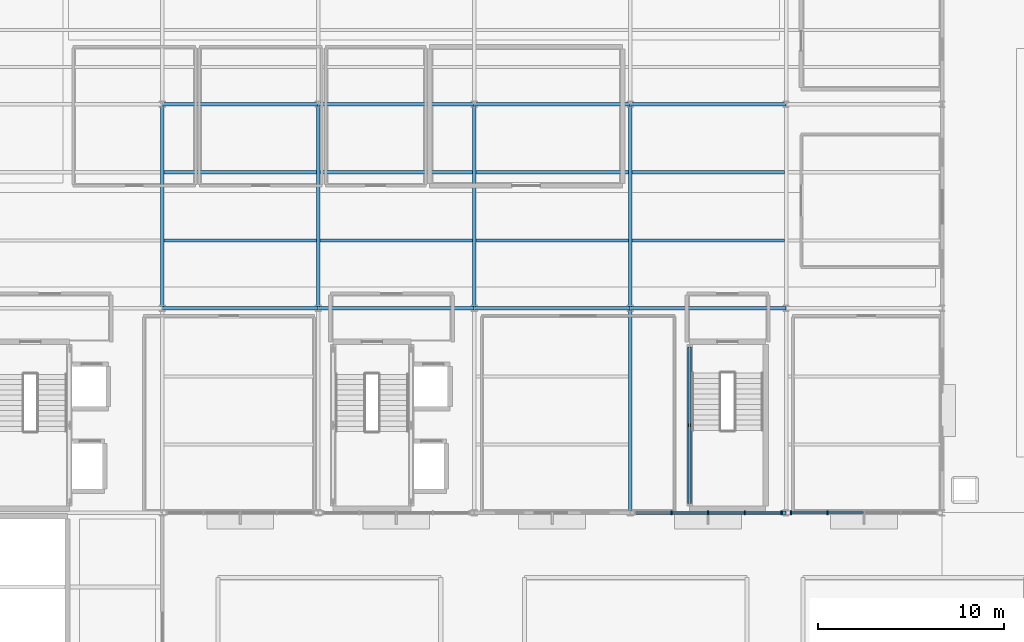
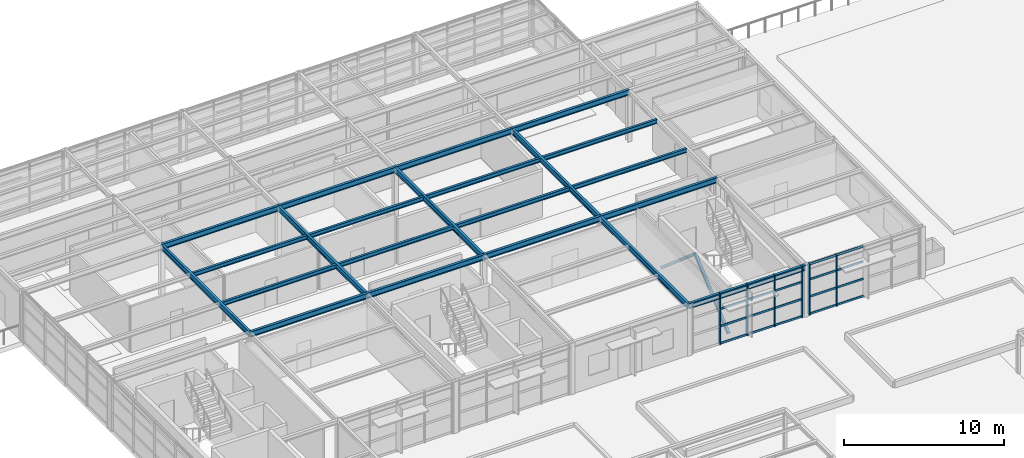
# One storey, part 25 of 49: 29 members, 22 beams, 2 elements without a shape of their own.
"""IFC4 building model written with IfcOpenShell, lengths in metres."""

from ifc_helpers import new_model, si_unit, direction, frame, origin, origin_2d, place, context, subcontext, project, spatial, rectangle, hollow_rectangle, i_section, extrude, material, layer, layer_set, material_profile, profile_set, type_object, element, aggregate, save


model = new_model("IFC4")

# Units and contexts
model_context = context("Model", 3, precision=1e-05, world=origin(), true_north=direction((0.0, 1.0)))
body_context = subcontext(model_context, "Body", "Model", "MODEL_VIEW")
ifc_project = project(units=[si_unit("LENGTHUNIT", "METRE"), si_unit("AREAUNIT", "SQUARE_METRE"), si_unit("VOLUMEUNIT", "CUBIC_METRE"), si_unit("PLANEANGLEUNIT", "RADIAN"), si_unit("MASSUNIT", "GRAM", prefix="KILO")], contexts=[model_context])

# Site, building, storey
site_placement = place(None, origin())
site = spatial("IfcSite", under=ifc_project, at=site_placement, CompositionType="ELEMENT")
building_placement = place(site_placement, origin())
building = spatial("IfcBuilding", under=site, at=building_placement, Name="Sitalva Quay Ferry Terminal", CompositionType="ELEMENT")
storey_placement = place(building_placement, frame((0.0, 0.0, 10.199951171875)))
storey = spatial("IfcBuildingStorey", under=building, at=storey_placement, Name="L03", CompositionType="ELEMENT", Elevation=10.199951171875)

# Beams
ifc_material_1 = material(Name="Structural Steel S355JR", Category="steel")
ifc_material_profile_1 = material_profile(ifc_material_1, i_section(OverallWidth=0.178955078125, OverallDepth=0.409912109375, WebThickness=0.0087890625, FlangeThickness=0.014404296875, FilletRadius=0.012939453125, at=origin_2d()), Name="W410x67")
ifc_profile_set_1 = profile_set([ifc_material_profile_1], Name="Structural Steel S355JR")
beam_type_1 = type_object("IfcBeamType", Name="Beam_W410x67", PredefinedType="BEAM", material=ifc_profile_set_1)
for number, where, z_axis, x_axis, name in (
    (1, (84.0, 89.0, 3.715087890625), (0.0, 1.0, 0.0), (-1.0, 0.0, 0.0), "L03 Primary Y girder 1229"),
    (2, (92.39990234375, 89.0, 3.715087890625), (0.0, 1.0, 0.0), (-1.0, 0.0, 0.0), "L03 Primary Y girder 1232"),
    (3, (100.800048828125, 89.0, 3.715087890625), (0.0, 1.0, 0.0), (-1.0, 0.0, 0.0), "L03 Primary Y girder 1235"),
    (4, (109.199951171875, 78.0, 3.715087890625), (0.0, 1.0, 0.0), (-1.0, 0.0, 0.0), "L03 Primary Y girder 1237"),
    (5, (109.199951171875, 89.0, 3.715087890625), (0.0, 1.0, 0.0), (-1.0, 0.0, 0.0), "L03 Primary Y girder 1238"),
):
    element("IfcBeam", number, at=place(storey_placement, frame(where, z_axis=z_axis, x_axis=x_axis)), inside=storey, type_object=beam_type_1, Name=name, PredefinedType="BEAM", context=body_context, shape_type="SweptSolid", body=[
        extrude(i_section(OverallWidth=0.178955078125, OverallDepth=0.409912109375, WebThickness=0.0087890625, FlangeThickness=0.014404296875, FilletRadius=0.012939453125, at=origin_2d()), origin(), (0.0, 0.0, 1.0), 11.0),
    ])
ifc_material_2 = material(Name="Structural Steel S355JR", Category="steel")
ifc_material_profile_2 = material_profile(ifc_material_2, i_section(OverallWidth=0.180908203125, OverallDepth=0.4169921875, WebThickness=0.010986328125, FlangeThickness=0.018310546875, FilletRadius=0.012939453125, at=origin_2d()), Name="W410x85")
ifc_profile_set_2 = profile_set([ifc_material_profile_2], Name="Structural Steel S355JR")
beam_type_2 = type_object("IfcBeamType", Name="Beam_W410x85", PredefinedType="BEAM", material=ifc_profile_set_2)
beam_1_placement = place(storey_placement, frame((109.199951171875, 78.0, 3.711669921875), z_axis=(1.0, 0.0, 0.0), x_axis=(0.0, 1.0, 0.0)))
element("IfcBeam", 6, at=beam_1_placement, inside=storey, type_object=beam_type_2, Name="L03 Primary X girder 1205", PredefinedType="BEAM", context=body_context, shape_type="SweptSolid", body=[
    extrude(i_section(OverallWidth=0.180908203125, OverallDepth=0.4169921875, WebThickness=0.010986328125, FlangeThickness=0.018310546875, FilletRadius=0.012939453125, at=origin_2d()), origin(), (0.0, 0.0, 1.0), 8.400146484375),
])
beam_2_placement = place(storey_placement, frame((84.0, 89.0, 3.711669921875), z_axis=(1.0, 0.0, 0.0), x_axis=(0.0, 1.0, 0.0)))
element("IfcBeam", 7, at=beam_2_placement, inside=storey, type_object=beam_type_2, Name="L03 Primary X girder 1208", PredefinedType="BEAM", context=body_context, shape_type="SweptSolid", body=[
    extrude(i_section(OverallWidth=0.180908203125, OverallDepth=0.4169921875, WebThickness=0.010986328125, FlangeThickness=0.018310546875, FilletRadius=0.012939453125, at=origin_2d()), origin(), (0.0, 0.0, 1.0), 8.39990234375),
])
beam_3_placement = place(storey_placement, frame((92.39990234375, 89.0, 3.711669921875), z_axis=(1.0, 0.0, 0.0), x_axis=(0.0, 1.0, 0.0)))
element("IfcBeam", 8, at=beam_3_placement, inside=storey, type_object=beam_type_2, Name="L03 Primary X girder 1209", PredefinedType="BEAM", context=body_context, shape_type="SweptSolid", body=[
    extrude(i_section(OverallWidth=0.180908203125, OverallDepth=0.4169921875, WebThickness=0.010986328125, FlangeThickness=0.018310546875, FilletRadius=0.012939453125, at=origin_2d()), origin(), (0.0, 0.0, 1.0), 8.400146484375),
])
beam_4_placement = place(storey_placement, frame((100.800048828125, 89.0, 3.711669921875), z_axis=(1.0, 0.0, 0.0), x_axis=(0.0, 1.0, 0.0)))
element("IfcBeam", 9, at=beam_4_placement, inside=storey, type_object=beam_type_2, Name="L03 Primary X girder 1210", PredefinedType="BEAM", context=body_context, shape_type="SweptSolid", body=[
    extrude(i_section(OverallWidth=0.180908203125, OverallDepth=0.4169921875, WebThickness=0.010986328125, FlangeThickness=0.018310546875, FilletRadius=0.012939453125, at=origin_2d()), origin(), (0.0, 0.0, 1.0), 8.39990234375),
])
beam_5_placement = place(storey_placement, frame((109.199951171875, 89.0, 3.711669921875), z_axis=(1.0, 0.0, 0.0), x_axis=(0.0, 1.0, 0.0)))
element("IfcBeam", 10, at=beam_5_placement, inside=storey, type_object=beam_type_2, Name="L03 Primary X girder 1211", PredefinedType="BEAM", context=body_context, shape_type="SweptSolid", body=[
    extrude(i_section(OverallWidth=0.180908203125, OverallDepth=0.4169921875, WebThickness=0.010986328125, FlangeThickness=0.018310546875, FilletRadius=0.012939453125, at=origin_2d()), origin(), (0.0, 0.0, 1.0), 8.400146484375),
])
beam_6_placement = place(storey_placement, frame((84.0, 100.0, 3.711669921875), z_axis=(1.0, 0.0, 0.0), x_axis=(0.0, 1.0, 0.0)))
element("IfcBeam", 11, at=beam_6_placement, inside=storey, type_object=beam_type_2, Name="L03 Primary X girder 1214", PredefinedType="BEAM", context=body_context, shape_type="SweptSolid", body=[
    extrude(i_section(OverallWidth=0.180908203125, OverallDepth=0.4169921875, WebThickness=0.010986328125, FlangeThickness=0.018310546875, FilletRadius=0.012939453125, at=origin_2d()), origin(), (0.0, 0.0, 1.0), 8.39990234375),
])
beam_7_placement = place(storey_placement, frame((92.39990234375, 100.0, 3.711669921875), z_axis=(1.0, 0.0, 0.0), x_axis=(0.0, 1.0, 0.0)))
element("IfcBeam", 12, at=beam_7_placement, inside=storey, type_object=beam_type_2, Name="L03 Primary X girder 1215", PredefinedType="BEAM", context=body_context, shape_type="SweptSolid", body=[
    extrude(i_section(OverallWidth=0.180908203125, OverallDepth=0.4169921875, WebThickness=0.010986328125, FlangeThickness=0.018310546875, FilletRadius=0.012939453125, at=origin_2d()), origin(), (0.0, 0.0, 1.0), 8.400146484375),
])
beam_8_placement = place(storey_placement, frame((100.800048828125, 100.0, 3.711669921875), z_axis=(1.0, 0.0, 0.0), x_axis=(0.0, 1.0, 0.0)))
element("IfcBeam", 13, at=beam_8_placement, inside=storey, type_object=beam_type_2, Name="L03 Primary X girder 1216", PredefinedType="BEAM", context=body_context, shape_type="SweptSolid", body=[
    extrude(i_section(OverallWidth=0.180908203125, OverallDepth=0.4169921875, WebThickness=0.010986328125, FlangeThickness=0.018310546875, FilletRadius=0.012939453125, at=origin_2d()), origin(), (0.0, 0.0, 1.0), 8.39990234375),
])
beam_9_placement = place(storey_placement, frame((109.199951171875, 100.0, 3.711669921875), z_axis=(1.0, 0.0, 0.0), x_axis=(0.0, 1.0, 0.0)))
element("IfcBeam", 14, at=beam_9_placement, inside=storey, type_object=beam_type_2, Name="L03 Primary X girder 1217", PredefinedType="BEAM", context=body_context, shape_type="SweptSolid", body=[
    extrude(i_section(OverallWidth=0.180908203125, OverallDepth=0.4169921875, WebThickness=0.010986328125, FlangeThickness=0.018310546875, FilletRadius=0.012939453125, at=origin_2d()), origin(), (0.0, 0.0, 1.0), 8.400146484375),
])

# Members
ifc_material_3 = material(Name="Structural Steel S355JR", Category="steel")
ifc_material_profile_3 = material_profile(ifc_material_3, hollow_rectangle(XDim=0.199951171875, YDim=0.199951171875, WallThickness=0.010009765625, InnerFilletRadius=0.010009765625, OuterFilletRadius=0.02001953125, at=origin_2d()), Name="SHS200x200x10")
ifc_profile_set_3 = profile_set([ifc_material_profile_3], Name="Structural Steel S355JR")
member_type_1 = type_object("IfcMemberType", Name="Brace_SHS200x10", PredefinedType="BRACE", material=ifc_profile_set_3)
member_1_placement = place(storey_placement, frame((112.39990234375, 78.550048828125, 0.150146484375), z_axis=(0.0, 0.759912605464, 0.650025254938), x_axis=(-1.0, 0.0, 0.0)))
element("IfcMember", 15, at=member_1_placement, inside=storey, type_object=member_type_1, Name="Braced frame BF5 L03 chevron A", PredefinedType="BRACE", context=body_context, shape_type="SweptSolid", body=[
    extrude(hollow_rectangle(XDim=0.199951171875, YDim=0.199951171875, WallThickness=0.010009765625, InnerFilletRadius=0.010009765625, OuterFilletRadius=0.02001953125, at=origin_2d()), origin(), (0.0, 0.0, 1.0), 5.4609375),
])
member_2_placement = place(storey_placement, frame((112.39990234375, 82.699951171875, 3.699951171875), z_axis=(0.0, 0.759931494254, -0.650003172331), x_axis=(-1.0, 0.0, 0.0)))
element("IfcMember", 16, at=member_2_placement, inside=storey, type_object=member_type_1, Name="Braced frame BF5 L03 chevron B", PredefinedType="BRACE", context=body_context, shape_type="SweptSolid", body=[
    extrude(hollow_rectangle(XDim=0.199951171875, YDim=0.199951171875, WallThickness=0.010009765625, InnerFilletRadius=0.010009765625, OuterFilletRadius=0.02001953125, at=origin_2d()), origin(), (0.0, 0.0, 1.0), 5.461181640625),
])

# Beams
ifc_material_4 = material(Name="Structural Steel S355JR", Category="steel")
ifc_material_profile_4 = material_profile(ifc_material_4, i_section(OverallWidth=0.166015625, OverallDepth=0.31298828125, WebThickness=0.006591796875, FlangeThickness=0.01123046875, FilletRadius=0.010986328125, at=origin_2d()), Name="W310x45")
ifc_profile_set_4 = profile_set([ifc_material_profile_4], Name="Structural Steel S355JR")
beam_type_3 = type_object("IfcBeamType", Name="Joist_W310x45", PredefinedType="JOIST", material=ifc_profile_set_4)
for number, where, z_axis, x_axis, name in (
    (17, (84.089599609375, 92.666748046875, 3.763427734375), (1.0, 0.0, 0.0), (0.0, 1.0, 0.0), "L03 Secondary joist 1253"),
    (18, (92.489501953125, 92.666748046875, 3.763427734375), (1.0, 0.0, 0.0), (0.0, 1.0, 0.0), "L03 Secondary joist 1254"),
):
    element("IfcBeam", number, at=place(storey_placement, frame(where, z_axis=z_axis, x_axis=x_axis)), inside=storey, type_object=beam_type_3, Name=name, PredefinedType="JOIST", context=body_context, shape_type="SweptSolid", body=[
        extrude(i_section(OverallWidth=0.166015625, OverallDepth=0.31298828125, WebThickness=0.006591796875, FlangeThickness=0.01123046875, FilletRadius=0.010986328125, at=origin_2d()), origin(), (0.0, 0.0, 1.0), 8.220947265625),
    ])
beam_10_placement = place(storey_placement, frame((100.889404296875, 92.666748046875, 3.763427734375), z_axis=(1.0, 0.0, 0.0), x_axis=(0.0, 1.0, 0.0)))
element("IfcBeam", 19, at=beam_10_placement, inside=storey, type_object=beam_type_3, Name="L03 Secondary joist 1255", PredefinedType="JOIST", context=body_context, shape_type="SweptSolid", body=[
    extrude(i_section(OverallWidth=0.166015625, OverallDepth=0.31298828125, WebThickness=0.006591796875, FlangeThickness=0.01123046875, FilletRadius=0.010986328125, at=origin_2d()), origin(), (0.0, 0.0, 1.0), 8.22119140625),
])
for number, where, z_axis, x_axis, name in (
    (20, (109.28955078125, 92.666748046875, 3.763427734375), (1.0, 0.0, 0.0), (0.0, 1.0, 0.0), "L03 Secondary joist 1256"),
    (21, (84.089599609375, 96.333251953125, 3.763427734375), (1.0, 0.0, 0.0), (0.0, 1.0, 0.0), "L03 Secondary joist 1259"),
    (22, (92.489501953125, 96.333251953125, 3.763427734375), (1.0, 0.0, 0.0), (0.0, 1.0, 0.0), "L03 Secondary joist 1260"),
):
    element("IfcBeam", number, at=place(storey_placement, frame(where, z_axis=z_axis, x_axis=x_axis)), inside=storey, type_object=beam_type_3, Name=name, PredefinedType="JOIST", context=body_context, shape_type="SweptSolid", body=[
        extrude(i_section(OverallWidth=0.166015625, OverallDepth=0.31298828125, WebThickness=0.006591796875, FlangeThickness=0.01123046875, FilletRadius=0.010986328125, at=origin_2d()), origin(), (0.0, 0.0, 1.0), 8.220947265625),
    ])
beam_11_placement = place(storey_placement, frame((100.889404296875, 96.333251953125, 3.763427734375), z_axis=(1.0, 0.0, 0.0), x_axis=(0.0, 1.0, 0.0)))
element("IfcBeam", 23, at=beam_11_placement, inside=storey, type_object=beam_type_3, Name="L03 Secondary joist 1261", PredefinedType="JOIST", context=body_context, shape_type="SweptSolid", body=[
    extrude(i_section(OverallWidth=0.166015625, OverallDepth=0.31298828125, WebThickness=0.006591796875, FlangeThickness=0.01123046875, FilletRadius=0.010986328125, at=origin_2d()), origin(), (0.0, 0.0, 1.0), 8.22119140625),
])
beam_12_placement = place(storey_placement, frame((109.28955078125, 96.333251953125, 3.763427734375), z_axis=(1.0, 0.0, 0.0), x_axis=(0.0, 1.0, 0.0)))
element("IfcBeam", 24, at=beam_12_placement, inside=storey, type_object=beam_type_3, Name="L03 Secondary joist 1262", PredefinedType="JOIST", context=body_context, shape_type="SweptSolid", body=[
    extrude(i_section(OverallWidth=0.166015625, OverallDepth=0.31298828125, WebThickness=0.006591796875, FlangeThickness=0.01123046875, FilletRadius=0.010986328125, at=origin_2d()), origin(), (0.0, 0.0, 1.0), 8.220947265625),
])

# Curtain wall, members
ifc_material_5 = material(Name="Anodised Aluminium & Low-E Glazing", Category="aluminium")
ifc_layer = layer(ifc_material_5, 0.159912109375)
ifc_layer_set = layer_set([ifc_layer], Name="Anodised Aluminium & Low-E Glazing")
curtain_wall_type = type_object("IfcCurtainWallType", Name="CW_Office_Unitised", PredefinedType="USERDEFINED", material=ifc_layer_set)
curtain_wall_1_placement = place(storey_placement, origin())
curtain_wall_1 = element("IfcCurtainWall", 25, at=curtain_wall_1_placement, inside=storey, type_object=curtain_wall_type, Name="L03 maritime bridge south glazing (CW-L03-129)", ObjectType="CURTAIN_WALL", PredefinedType="USERDEFINED")
ifc_material_6 = material(Name="Anodised Aluminium 6063-T6", Category="aluminium")
ifc_material_profile_5 = material_profile(ifc_material_6, rectangle(XDim=0.074951171875, YDim=0.219970703125, at=origin_2d()), Name="ALU75x220")
ifc_profile_set_5 = profile_set([ifc_material_profile_5], Name="Anodised Aluminium 6063-T6")
member_type_2 = type_object("IfcMemberType", Name="Mullion_Alu_75x160", PredefinedType="MULLION", material=ifc_profile_set_5)
member_3_placement = place(storey_placement, frame((111.429931640625, 78.0, 0.0), z_axis=(0.0, 0.0, 1.0), x_axis=(1.0, 0.0, 0.0)))
member_3 = element("IfcMember", 26, at=member_3_placement, type_object=member_type_2, Name="CW-L03-129-M1", PredefinedType="MULLION", context=body_context, shape_type="SweptSolid", body=[
    extrude(rectangle(XDim=0.074951171875, YDim=0.219970703125, at=origin_2d()), origin(), (0.0, 0.0, 1.0), 3.920166015625),
])
member_4_placement = place(storey_placement, frame((113.39990234375, 78.0, 0.0), z_axis=(0.0, 0.0, 1.0), x_axis=(1.0, 0.0, 0.0)))
member_4 = element("IfcMember", 27, at=member_4_placement, type_object=member_type_2, Name="CW-L03-129-M2", PredefinedType="MULLION", context=body_context, shape_type="SweptSolid", body=[
    extrude(rectangle(XDim=0.074951171875, YDim=0.219970703125, at=origin_2d()), origin(), (0.0, 0.0, 1.0), 3.920166015625),
])
member_5_placement = place(storey_placement, frame((115.3701171875, 78.0, 0.0), z_axis=(0.0, 0.0, 1.0), x_axis=(1.0, 0.0, 0.0)))
member_5 = element("IfcMember", 28, at=member_5_placement, type_object=member_type_2, Name="CW-L03-129-M3", PredefinedType="MULLION", context=body_context, shape_type="SweptSolid", body=[
    extrude(rectangle(XDim=0.074951171875, YDim=0.219970703125, at=origin_2d()), origin(), (0.0, 0.0, 1.0), 3.920166015625),
])
member_6_placement = place(storey_placement, frame((117.340087890625, 78.0, 0.0), z_axis=(0.0, 0.0, 1.0), x_axis=(1.0, 0.0, 0.0)))
member_6 = element("IfcMember", 29, at=member_6_placement, type_object=member_type_2, Name="CW-L03-129-M4", PredefinedType="MULLION", context=body_context, shape_type="SweptSolid", body=[
    extrude(rectangle(XDim=0.074951171875, YDim=0.219970703125, at=origin_2d()), origin(), (0.0, 0.0, 1.0), 3.920166015625),
])

curtain_wall_2_placement = place(storey_placement, origin())
curtain_wall_2 = element("IfcCurtainWall", 30, at=curtain_wall_2_placement, inside=storey, type_object=curtain_wall_type, Name="L03 maritime bridge south glazing (CW-L03-130)", ObjectType="CURTAIN_WALL", PredefinedType="USERDEFINED")
member_7_placement = place(storey_placement, frame((117.860107421875, 78.0, 0.0), z_axis=(0.0, 0.0, 1.0), x_axis=(1.0, 0.0, 0.0)))
member_7 = element("IfcMember", 31, at=member_7_placement, type_object=member_type_2, Name="CW-L03-130-M0", PredefinedType="MULLION", context=body_context, shape_type="SweptSolid", body=[
    extrude(rectangle(XDim=0.074951171875, YDim=0.219970703125, at=origin_2d()), origin(), (0.0, 0.0, 1.0), 3.920166015625),
])
member_8_placement = place(storey_placement, frame((119.830078125, 78.0, 0.0), z_axis=(0.0, 0.0, 1.0), x_axis=(1.0, 0.0, 0.0)))
member_8 = element("IfcMember", 32, at=member_8_placement, type_object=member_type_2, Name="CW-L03-130-M1", PredefinedType="MULLION", context=body_context, shape_type="SweptSolid", body=[
    extrude(rectangle(XDim=0.074951171875, YDim=0.219970703125, at=origin_2d()), origin(), (0.0, 0.0, 1.0), 3.920166015625),
])

# Member
ifc_material_7 = material(Name="Anodised Aluminium 6063-T6", Category="aluminium")
ifc_material_profile_6 = material_profile(ifc_material_7, rectangle(XDim=0.074951171875, YDim=0.14990234375, at=origin_2d()), Name="ALU75x150")
ifc_profile_set_6 = profile_set([ifc_material_profile_6], Name="Anodised Aluminium 6063-T6")
member_type_3 = type_object("IfcMemberType", Name="Transom_Alu_75x140", PredefinedType="MULLION", material=ifc_profile_set_6)
member_9_placement = place(storey_placement, frame((109.49755859375, 78.0, 3.844970703125), z_axis=(1.0, 0.0, 0.0), x_axis=(0.0, 1.0, 0.0)))
member_9 = element("IfcMember", 33, at=member_9_placement, type_object=member_type_3, Name="CW-L03-129-T0-3", ObjectType="TRANSOM", PredefinedType="USERDEFINED", context=body_context, shape_type="SweptSolid", body=[
    extrude(rectangle(XDim=0.074951171875, YDim=0.14990234375, at=origin_2d()), origin(), (0.0, 0.0, 1.0), 1.89501953125),
])

member_10_placement = place(storey_placement, frame((111.467529296875, 78.0, 0.074951171875), z_axis=(1.0, 0.0, 0.0), x_axis=(0.0, 1.0, 0.0)))
member_10 = element("IfcMember", 34, at=member_10_placement, type_object=member_type_3, Name="CW-L03-129-T1-0", ObjectType="TRANSOM", PredefinedType="USERDEFINED", context=body_context, shape_type="SweptSolid", body=[
    extrude(rectangle(XDim=0.074951171875, YDim=0.14990234375, at=origin_2d()), origin(), (0.0, 0.0, 1.0), 1.89501953125),
])

member_11_placement = place(storey_placement, frame((111.467529296875, 78.0, 1.3818359375), z_axis=(1.0, 0.0, 0.0), x_axis=(0.0, 1.0, 0.0)))
member_11 = element("IfcMember", 35, at=member_11_placement, type_object=member_type_3, Name="CW-L03-129-T1-1", ObjectType="TRANSOM", PredefinedType="USERDEFINED", context=body_context, shape_type="SweptSolid", body=[
    extrude(rectangle(XDim=0.074951171875, YDim=0.14990234375, at=origin_2d()), origin(), (0.0, 0.0, 1.0), 1.89501953125),
])

member_12_placement = place(storey_placement, frame((111.467529296875, 78.0, 2.6884765625), z_axis=(1.0, 0.0, 0.0), x_axis=(0.0, 1.0, 0.0)))
member_12 = element("IfcMember", 36, at=member_12_placement, type_object=member_type_3, Name="CW-L03-129-T1-2", ObjectType="TRANSOM", PredefinedType="USERDEFINED", context=body_context, shape_type="SweptSolid", body=[
    extrude(rectangle(XDim=0.074951171875, YDim=0.14990234375, at=origin_2d()), origin(), (0.0, 0.0, 1.0), 1.89501953125),
])

member_13_placement = place(storey_placement, frame((111.467529296875, 78.0, 3.844970703125), z_axis=(1.0, 0.0, 0.0), x_axis=(0.0, 1.0, 0.0)))
member_13 = element("IfcMember", 37, at=member_13_placement, type_object=member_type_3, Name="CW-L03-129-T1-3", ObjectType="TRANSOM", PredefinedType="USERDEFINED", context=body_context, shape_type="SweptSolid", body=[
    extrude(rectangle(XDim=0.074951171875, YDim=0.14990234375, at=origin_2d()), origin(), (0.0, 0.0, 1.0), 1.89501953125),
])

member_14_placement = place(storey_placement, frame((113.4375, 78.0, 0.074951171875), z_axis=(1.0, 0.0, 0.0), x_axis=(0.0, 1.0, 0.0)))
member_14 = element("IfcMember", 38, at=member_14_placement, type_object=member_type_3, Name="CW-L03-129-T2-0", ObjectType="TRANSOM", PredefinedType="USERDEFINED", context=body_context, shape_type="SweptSolid", body=[
    extrude(rectangle(XDim=0.074951171875, YDim=0.14990234375, at=origin_2d()), origin(), (0.0, 0.0, 1.0), 1.89501953125),
])

member_15_placement = place(storey_placement, frame((113.4375, 78.0, 1.3818359375), z_axis=(1.0, 0.0, 0.0), x_axis=(0.0, 1.0, 0.0)))
member_15 = element("IfcMember", 39, at=member_15_placement, type_object=member_type_3, Name="CW-L03-129-T2-1", ObjectType="TRANSOM", PredefinedType="USERDEFINED", context=body_context, shape_type="SweptSolid", body=[
    extrude(rectangle(XDim=0.074951171875, YDim=0.14990234375, at=origin_2d()), origin(), (0.0, 0.0, 1.0), 1.89501953125),
])

member_16_placement = place(storey_placement, frame((113.4375, 78.0, 2.6884765625), z_axis=(1.0, 0.0, 0.0), x_axis=(0.0, 1.0, 0.0)))
member_16 = element("IfcMember", 40, at=member_16_placement, type_object=member_type_3, Name="CW-L03-129-T2-2", ObjectType="TRANSOM", PredefinedType="USERDEFINED", context=body_context, shape_type="SweptSolid", body=[
    extrude(rectangle(XDim=0.074951171875, YDim=0.14990234375, at=origin_2d()), origin(), (0.0, 0.0, 1.0), 1.89501953125),
])

member_17_placement = place(storey_placement, frame((113.4375, 78.0, 3.844970703125), z_axis=(1.0, 0.0, 0.0), x_axis=(0.0, 1.0, 0.0)))
member_17 = element("IfcMember", 41, at=member_17_placement, type_object=member_type_3, Name="CW-L03-129-T2-3", ObjectType="TRANSOM", PredefinedType="USERDEFINED", context=body_context, shape_type="SweptSolid", body=[
    extrude(rectangle(XDim=0.074951171875, YDim=0.14990234375, at=origin_2d()), origin(), (0.0, 0.0, 1.0), 1.89501953125),
])

member_18_placement = place(storey_placement, frame((115.407470703125, 78.0, 0.074951171875), z_axis=(1.0, 0.0, 0.0), x_axis=(0.0, 1.0, 0.0)))
member_18 = element("IfcMember", 42, at=member_18_placement, type_object=member_type_3, Name="CW-L03-129-T3-0", ObjectType="TRANSOM", PredefinedType="USERDEFINED", context=body_context, shape_type="SweptSolid", body=[
    extrude(rectangle(XDim=0.074951171875, YDim=0.14990234375, at=origin_2d()), origin(), (0.0, 0.0, 1.0), 1.89501953125),
])

member_19_placement = place(storey_placement, frame((115.407470703125, 78.0, 1.3818359375), z_axis=(1.0, 0.0, 0.0), x_axis=(0.0, 1.0, 0.0)))
member_19 = element("IfcMember", 43, at=member_19_placement, type_object=member_type_3, Name="CW-L03-129-T3-1", ObjectType="TRANSOM", PredefinedType="USERDEFINED", context=body_context, shape_type="SweptSolid", body=[
    extrude(rectangle(XDim=0.074951171875, YDim=0.14990234375, at=origin_2d()), origin(), (0.0, 0.0, 1.0), 1.89501953125),
])

member_20_placement = place(storey_placement, frame((115.407470703125, 78.0, 2.6884765625), z_axis=(1.0, 0.0, 0.0), x_axis=(0.0, 1.0, 0.0)))
member_20 = element("IfcMember", 44, at=member_20_placement, type_object=member_type_3, Name="CW-L03-129-T3-2", ObjectType="TRANSOM", PredefinedType="USERDEFINED", context=body_context, shape_type="SweptSolid", body=[
    extrude(rectangle(XDim=0.074951171875, YDim=0.14990234375, at=origin_2d()), origin(), (0.0, 0.0, 1.0), 1.89501953125),
])

member_21_placement = place(storey_placement, frame((115.407470703125, 78.0, 3.844970703125), z_axis=(1.0, 0.0, 0.0), x_axis=(0.0, 1.0, 0.0)))
member_21 = element("IfcMember", 45, at=member_21_placement, type_object=member_type_3, Name="CW-L03-129-T3-3", ObjectType="TRANSOM", PredefinedType="USERDEFINED", context=body_context, shape_type="SweptSolid", body=[
    extrude(rectangle(XDim=0.074951171875, YDim=0.14990234375, at=origin_2d()), origin(), (0.0, 0.0, 1.0), 1.89501953125),
])

aggregate(curtain_wall_1, [member_3, member_4, member_5, member_6, member_9, member_10, member_11, member_12, member_13, member_14, member_15, member_16, member_17, member_18, member_19, member_20, member_21])

member_22_placement = place(storey_placement, frame((117.8974609375, 78.0, 0.074951171875), z_axis=(1.0, 0.0, 0.0), x_axis=(0.0, 1.0, 0.0)))
member_22 = element("IfcMember", 46, at=member_22_placement, type_object=member_type_3, Name="CW-L03-130-T0-0", ObjectType="TRANSOM", PredefinedType="USERDEFINED", context=body_context, shape_type="SweptSolid", body=[
    extrude(rectangle(XDim=0.074951171875, YDim=0.14990234375, at=origin_2d()), origin(), (0.0, 0.0, 1.0), 1.89501953125),
])

member_23_placement = place(storey_placement, frame((117.8974609375, 78.0, 1.3818359375), z_axis=(1.0, 0.0, 0.0), x_axis=(0.0, 1.0, 0.0)))
member_23 = element("IfcMember", 47, at=member_23_placement, type_object=member_type_3, Name="CW-L03-130-T0-1", ObjectType="TRANSOM", PredefinedType="USERDEFINED", context=body_context, shape_type="SweptSolid", body=[
    extrude(rectangle(XDim=0.074951171875, YDim=0.14990234375, at=origin_2d()), origin(), (0.0, 0.0, 1.0), 1.89501953125),
])

member_24_placement = place(storey_placement, frame((117.8974609375, 78.0, 2.6884765625), z_axis=(1.0, 0.0, 0.0), x_axis=(0.0, 1.0, 0.0)))
member_24 = element("IfcMember", 48, at=member_24_placement, type_object=member_type_3, Name="CW-L03-130-T0-2", ObjectType="TRANSOM", PredefinedType="USERDEFINED", context=body_context, shape_type="SweptSolid", body=[
    extrude(rectangle(XDim=0.074951171875, YDim=0.14990234375, at=origin_2d()), origin(), (0.0, 0.0, 1.0), 1.89501953125),
])

member_25_placement = place(storey_placement, frame((117.8974609375, 78.0, 3.844970703125), z_axis=(1.0, 0.0, 0.0), x_axis=(0.0, 1.0, 0.0)))
member_25 = element("IfcMember", 49, at=member_25_placement, type_object=member_type_3, Name="CW-L03-130-T0-3", ObjectType="TRANSOM", PredefinedType="USERDEFINED", context=body_context, shape_type="SweptSolid", body=[
    extrude(rectangle(XDim=0.074951171875, YDim=0.14990234375, at=origin_2d()), origin(), (0.0, 0.0, 1.0), 1.89501953125),
])

member_26_placement = place(storey_placement, frame((119.867431640625, 78.0, 0.074951171875), z_axis=(1.0, 0.0, 0.0), x_axis=(0.0, 1.0, 0.0)))
member_26 = element("IfcMember", 50, at=member_26_placement, type_object=member_type_3, Name="CW-L03-130-T1-0", ObjectType="TRANSOM", PredefinedType="USERDEFINED", context=body_context, shape_type="SweptSolid", body=[
    extrude(rectangle(XDim=0.074951171875, YDim=0.14990234375, at=origin_2d()), origin(), (0.0, 0.0, 1.0), 1.89501953125),
])

member_27_placement = place(storey_placement, frame((119.867431640625, 78.0, 1.3818359375), z_axis=(1.0, 0.0, 0.0), x_axis=(0.0, 1.0, 0.0)))
member_27 = element("IfcMember", 51, at=member_27_placement, type_object=member_type_3, Name="CW-L03-130-T1-1", ObjectType="TRANSOM", PredefinedType="USERDEFINED", context=body_context, shape_type="SweptSolid", body=[
    extrude(rectangle(XDim=0.074951171875, YDim=0.14990234375, at=origin_2d()), origin(), (0.0, 0.0, 1.0), 1.89501953125),
])

member_28_placement = place(storey_placement, frame((119.867431640625, 78.0, 2.6884765625), z_axis=(1.0, 0.0, 0.0), x_axis=(0.0, 1.0, 0.0)))
member_28 = element("IfcMember", 52, at=member_28_placement, type_object=member_type_3, Name="CW-L03-130-T1-2", ObjectType="TRANSOM", PredefinedType="USERDEFINED", context=body_context, shape_type="SweptSolid", body=[
    extrude(rectangle(XDim=0.074951171875, YDim=0.14990234375, at=origin_2d()), origin(), (0.0, 0.0, 1.0), 1.89501953125),
])

member_29_placement = place(storey_placement, frame((119.867431640625, 78.0, 3.844970703125), z_axis=(1.0, 0.0, 0.0), x_axis=(0.0, 1.0, 0.0)))
member_29 = element("IfcMember", 53, at=member_29_placement, type_object=member_type_3, Name="CW-L03-130-T1-3", ObjectType="TRANSOM", PredefinedType="USERDEFINED", context=body_context, shape_type="SweptSolid", body=[
    extrude(rectangle(XDim=0.074951171875, YDim=0.14990234375, at=origin_2d()), origin(), (0.0, 0.0, 1.0), 1.89501953125),
])

aggregate(curtain_wall_2, [member_7, member_8, member_22, member_23, member_24, member_25, member_26, member_27, member_28, member_29])

save(model, "model.ifc")
